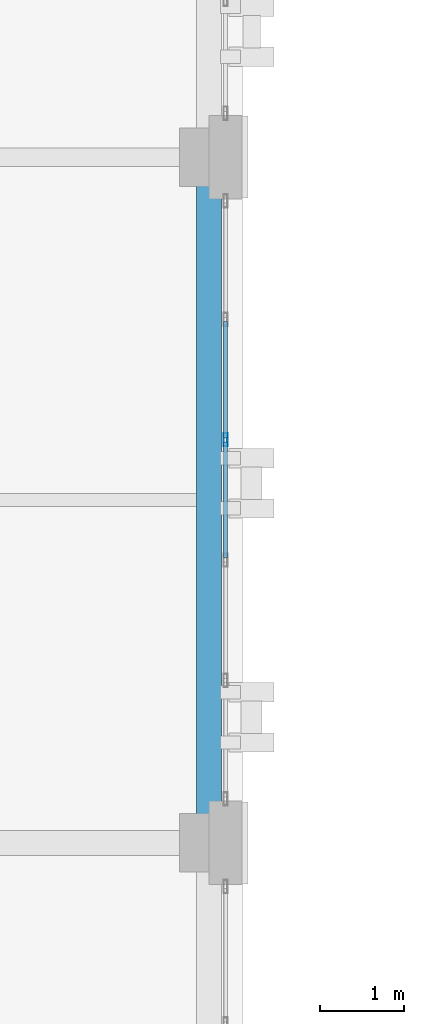
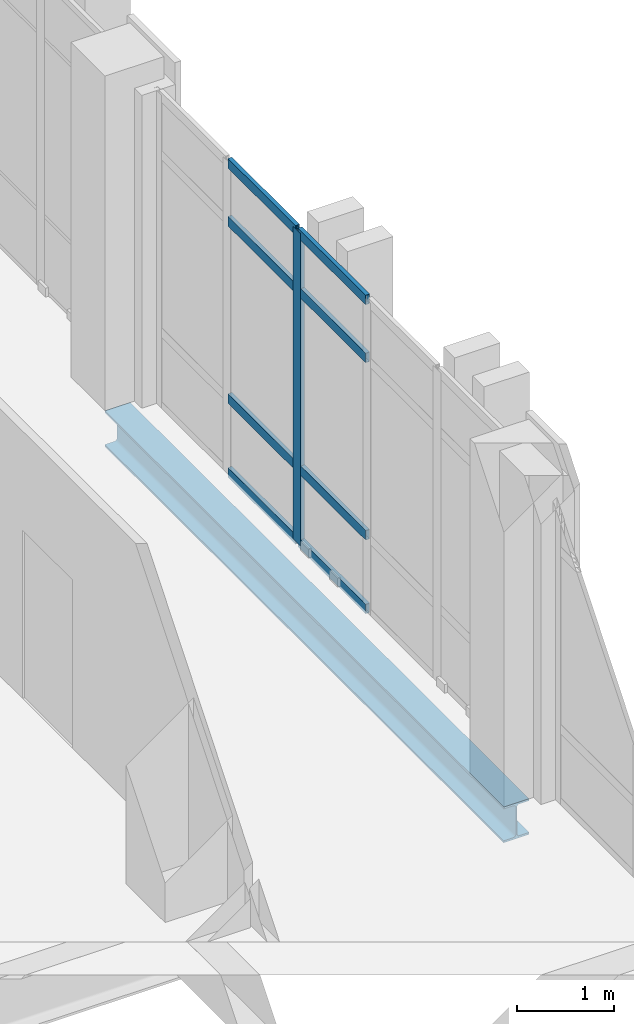
# One storey, part 71 of 158: 9 members, 1 beam, 1 element without a shape of its own.
"""IFC4 building model written with IfcOpenShell, lengths in metres."""

from ifc_helpers import new_model, si_unit, direction, frame, origin, origin_2d, place, context, subcontext, project, spatial, hollow_rectangle, i_section, extrude, material, layer, layer_set, material_profile, profile_set, type_object, element, aggregate, save


model = new_model("IFC4")

# Units and contexts
model_context = context("Model", 3, precision=1e-05, world=origin(), true_north=direction((0.0, 1.0)))
body_context = subcontext(model_context, "Body", "Model", "MODEL_VIEW")
ifc_project = project(units=[si_unit("LENGTHUNIT", "METRE"), si_unit("AREAUNIT", "SQUARE_METRE"), si_unit("VOLUMEUNIT", "CUBIC_METRE"), si_unit("PLANEANGLEUNIT", "RADIAN"), si_unit("MASSUNIT", "GRAM", prefix="KILO")], contexts=[model_context])

# Site, building, storey
site_placement = place(None, origin())
site = spatial("IfcSite", under=ifc_project, at=site_placement, CompositionType="ELEMENT")
building_placement = place(site_placement, origin())
building = spatial("IfcBuilding", under=site, at=building_placement, Name="Qalavern Law Courts", CompositionType="ELEMENT")
storey_placement = place(building_placement, frame((0.0, 0.0, 18.60009765625)))
storey = spatial("IfcBuildingStorey", under=building, at=storey_placement, Name="L04", CompositionType="ELEMENT", Elevation=18.60009765625)

# Curtain wall, members
ifc_material_1 = material(Name="Anodised aluminium and insulated glazing", Category="aluminium")
ifc_layer = layer(ifc_material_1, 0.159912109375)
ifc_layer_set = layer_set([ifc_layer], Name="Anodised aluminium and insulated glazing")
curtain_wall_type = type_object("IfcCurtainWallType", Name="ENV-CW-CHAMB", PredefinedType="USERDEFINED", material=ifc_layer_set)
curtain_wall_placement = place(storey_placement, origin())
curtain_wall = element("IfcCurtainWall", 1, at=curtain_wall_placement, inside=storey, type_object=curtain_wall_type, Name="V3 unitised curtain wall L04 east 6", ObjectType="UNITISED CURTAIN WALL", PredefinedType="USERDEFINED")
ifc_material_2 = material(Name="Anodised aluminium", Category="aluminium")
ifc_material_profile_1 = material_profile(ifc_material_2, hollow_rectangle(XDim=0.048095703125, YDim=0.159912109375, WallThickness=0.00390625, at=origin_2d()), Name="ALU MULLION 48x160")
ifc_profile_set_1 = profile_set([ifc_material_profile_1], Name="Anodised aluminium")
member_type_1 = type_object("IfcMemberType", Name="ENV-CWM-48x160", PredefinedType="MULLION", material=ifc_profile_set_1)
member_1_placement = place(storey_placement, frame((18.60009765625, 84.219970703125, 0.0), z_axis=(0.0, 0.0, 1.0), x_axis=(-1.0, 0.0, 0.0)))
member_1 = element("IfcMember", 2, at=member_1_placement, type_object=member_type_1, Name="CW-04 mullion 4", PredefinedType="MULLION", context=body_context, shape_type="SweptSolid", body=[
    extrude(hollow_rectangle(XDim=0.048095703125, YDim=0.159912109375, WallThickness=0.00390625, at=origin_2d()), origin(), (0.0, 0.0, 1.0), 3.9248046875),
])
ifc_material_profile_2 = material_profile(ifc_material_2, hollow_rectangle(XDim=0.048095703125, YDim=0.1201171875, WallThickness=0.00390625, at=origin_2d()), Name="ALU TRANSOM 48x120")
ifc_profile_set_2 = profile_set([ifc_material_profile_2], Name="Anodised aluminium")
member_type_2 = type_object("IfcMemberType", Name="ENV-CWT-48x120", PredefinedType="USERDEFINED", material=ifc_profile_set_2)
member_2_placement = place(storey_placement, frame((18.60009765625, 82.803955078125, 0.02392578125), z_axis=(0.0, 1.0, 0.0), x_axis=(-1.0, 0.0, 0.0)))
member_2 = element("IfcMember", 3, at=member_2_placement, type_object=member_type_2, Name="CW-04 transom 3.1", ObjectType="TRANSOM", PredefinedType="USERDEFINED", context=body_context, shape_type="SweptSolid", body=[
    extrude(hollow_rectangle(XDim=0.048095703125, YDim=0.1201171875, WallThickness=0.00390625, at=origin_2d()), origin(), (0.0, 0.0, 1.0), 1.39208984375),
])
member_3_placement = place(storey_placement, frame((18.60009765625, 82.803955078125, 0.949951171875), z_axis=(0.0, 1.0, 0.0), x_axis=(-1.0, 0.0, 0.0)))
member_3 = element("IfcMember", 4, at=member_3_placement, type_object=member_type_2, Name="CW-04 transom 3.2", ObjectType="TRANSOM", PredefinedType="USERDEFINED", context=body_context, shape_type="SweptSolid", body=[
    extrude(hollow_rectangle(XDim=0.048095703125, YDim=0.1201171875, WallThickness=0.00390625, at=origin_2d()), origin(), (0.0, 0.0, 1.0), 1.39208984375),
])
member_4_placement = place(storey_placement, frame((18.60009765625, 82.803955078125, 3.1748046875), z_axis=(0.0, 1.0, 0.0), x_axis=(-1.0, 0.0, 0.0)))
member_4 = element("IfcMember", 5, at=member_4_placement, type_object=member_type_2, Name="CW-04 transom 3.3", ObjectType="TRANSOM", PredefinedType="USERDEFINED", context=body_context, shape_type="SweptSolid", body=[
    extrude(hollow_rectangle(XDim=0.048095703125, YDim=0.1201171875, WallThickness=0.00390625, at=origin_2d()), origin(), (0.0, 0.0, 1.0), 1.39208984375),
])
member_5_placement = place(storey_placement, frame((18.60009765625, 82.803955078125, 3.90087890625), z_axis=(0.0, 1.0, 0.0), x_axis=(-1.0, 0.0, 0.0)))
member_5 = element("IfcMember", 6, at=member_5_placement, type_object=member_type_2, Name="CW-04 transom 3.4", ObjectType="TRANSOM", PredefinedType="USERDEFINED", context=body_context, shape_type="SweptSolid", body=[
    extrude(hollow_rectangle(XDim=0.048095703125, YDim=0.1201171875, WallThickness=0.00390625, at=origin_2d()), origin(), (0.0, 0.0, 1.0), 1.39208984375),
])
member_6_placement = place(storey_placement, frame((18.60009765625, 84.243896484375, 0.02392578125), z_axis=(0.0, 1.0, 0.0), x_axis=(-1.0, 0.0, 0.0)))
member_6 = element("IfcMember", 7, at=member_6_placement, type_object=member_type_2, Name="CW-04 transom 4.1", ObjectType="TRANSOM", PredefinedType="USERDEFINED", context=body_context, shape_type="SweptSolid", body=[
    extrude(hollow_rectangle(XDim=0.048095703125, YDim=0.1201171875, WallThickness=0.00390625, at=origin_2d()), origin(), (0.0, 0.0, 1.0), 1.39208984375),
])
member_7_placement = place(storey_placement, frame((18.60009765625, 84.243896484375, 0.949951171875), z_axis=(0.0, 1.0, 0.0), x_axis=(-1.0, 0.0, 0.0)))
member_7 = element("IfcMember", 8, at=member_7_placement, type_object=member_type_2, Name="CW-04 transom 4.2", ObjectType="TRANSOM", PredefinedType="USERDEFINED", context=body_context, shape_type="SweptSolid", body=[
    extrude(hollow_rectangle(XDim=0.048095703125, YDim=0.1201171875, WallThickness=0.00390625, at=origin_2d()), origin(), (0.0, 0.0, 1.0), 1.39208984375),
])
member_8_placement = place(storey_placement, frame((18.60009765625, 84.243896484375, 3.1748046875), z_axis=(0.0, 1.0, 0.0), x_axis=(-1.0, 0.0, 0.0)))
member_8 = element("IfcMember", 9, at=member_8_placement, type_object=member_type_2, Name="CW-04 transom 4.3", ObjectType="TRANSOM", PredefinedType="USERDEFINED", context=body_context, shape_type="SweptSolid", body=[
    extrude(hollow_rectangle(XDim=0.048095703125, YDim=0.1201171875, WallThickness=0.00390625, at=origin_2d()), origin(), (0.0, 0.0, 1.0), 1.39208984375),
])
member_9_placement = place(storey_placement, frame((18.60009765625, 84.243896484375, 3.90087890625), z_axis=(0.0, 1.0, 0.0), x_axis=(-1.0, 0.0, 0.0)))
member_9 = element("IfcMember", 10, at=member_9_placement, type_object=member_type_2, Name="CW-04 transom 4.4", ObjectType="TRANSOM", PredefinedType="USERDEFINED", context=body_context, shape_type="SweptSolid", body=[
    extrude(hollow_rectangle(XDim=0.048095703125, YDim=0.1201171875, WallThickness=0.00390625, at=origin_2d()), origin(), (0.0, 0.0, 1.0), 1.39208984375),
])
aggregate(curtain_wall, [member_1, member_2, member_3, member_4, member_5, member_6, member_7, member_8, member_9])

# Beam
ifc_material_3 = material(Name="Steel S355", Category="steel")
ifc_material_profile_3 = material_profile(ifc_material_3, i_section(OverallWidth=0.300048828125, OverallDepth=0.449951171875, WebThickness=0.013916015625, FlangeThickness=0.02587890625, FilletRadius=0.027099609375, at=origin_2d()), Name="HEB 450")
ifc_profile_set_3 = profile_set([ifc_material_profile_3], Name="Steel S355")
beam_type = type_object("IfcBeamType", Name="STR-SP-HEB450", PredefinedType="SPANDREL", material=ifc_profile_set_3)
beam_placement = place(storey_placement, frame((18.39990234375, 79.39990234375, -0.505126953125), z_axis=(0.0, 1.0, 0.0), x_axis=(-1.0, 0.0, 0.0)))
element("IfcBeam", 11, at=beam_placement, inside=storey, type_object=beam_type, Name="V3 Y-beam 3-6 L04", PredefinedType="SPANDREL", context=body_context, shape_type="SweptSolid", body=[
    extrude(i_section(OverallWidth=0.300048828125, OverallDepth=0.449951171875, WebThickness=0.013916015625, FlangeThickness=0.02587890625, FilletRadius=0.027099609375, at=origin_2d()), origin(), (0.0, 0.0, 1.0), 8.2001953125),
])

save(model, "model.ifc")
